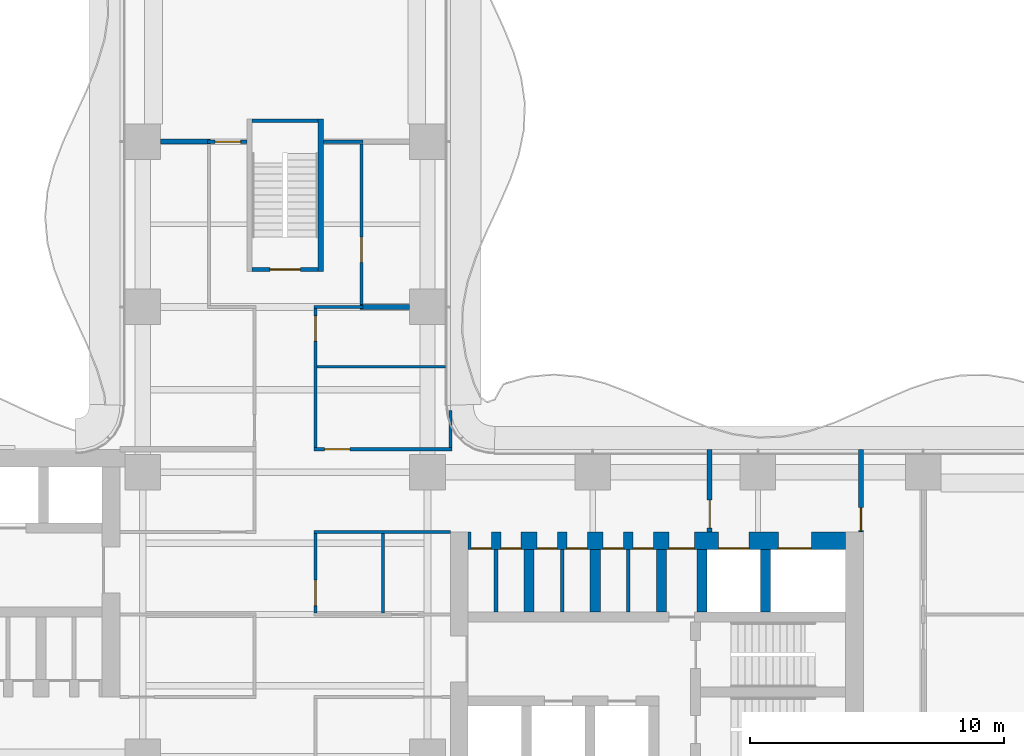
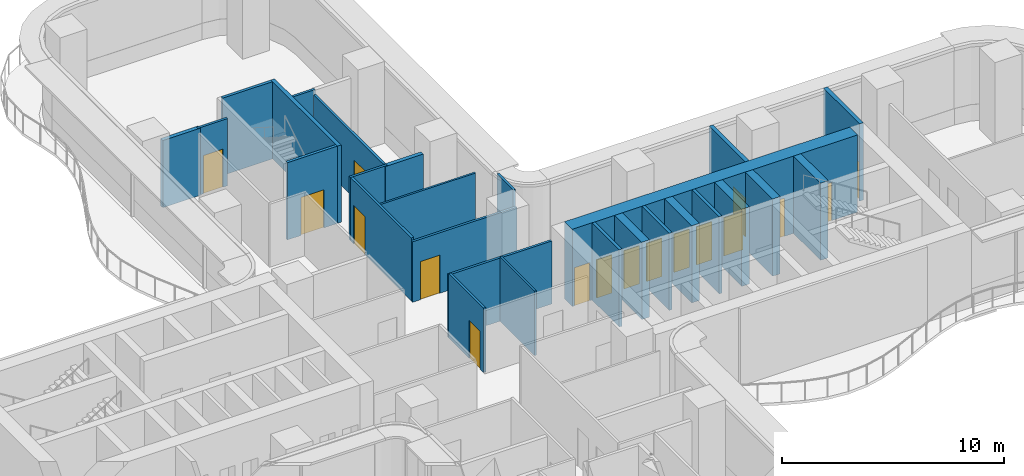
# One storey, part 19 of 22: 27 walls, 17 doors, 17 openings.
"""IFC4 building model written with IfcOpenShell, lengths in metres."""

from ifc_helpers import new_model, si_unit, direction, frame, frame_2d, origin, place, context, subcontext, project, spatial, rectangle, extrude, source, transform, mapped, material, layer, layer_set, type_object, element, fill, save


model = new_model("IFC4")

# Units and contexts
model_context = context("Model", 3, precision=1e-05, world=origin(), true_north=direction((0.0, 1.0)))
body_context = subcontext(model_context, "Body", "Model", "MODEL_VIEW")
ifc_project = project(units=[si_unit("LENGTHUNIT", "METRE"), si_unit("AREAUNIT", "SQUARE_METRE"), si_unit("VOLUMEUNIT", "CUBIC_METRE"), si_unit("PLANEANGLEUNIT", "RADIAN"), si_unit("MASSUNIT", "GRAM", prefix="KILO")], contexts=[model_context])

# Site, building, storey
site_placement = place(None, origin())
site = spatial("IfcSite", under=ifc_project, at=site_placement, CompositionType="ELEMENT")
building_placement = place(site_placement, origin())
building = spatial("IfcBuilding", under=site, at=building_placement, Name="Trellis Farm Tower", CompositionType="ELEMENT")
storey_placement = place(building_placement, frame((0.0, 0.0, 56.5)))
storey = spatial("IfcBuildingStorey", under=building, at=storey_placement, Name="L11", CompositionType="ELEMENT", Elevation=56.5)

# Walls
ifc_material_1 = material(Name="Concrete C80/95", Category="concrete")
ifc_layer_1 = layer(ifc_material_1, 0.39990234375)
ifc_layer_set_1 = layer_set([ifc_layer_1], Name="CORE INNER WALL 400 CONCRETE C80/95")
wall_type_1 = type_object("IfcWallType", Name="CORE INNER WALL 400 CONCRETE C80/95", PredefinedType="SHEAR", material=ifc_layer_set_1)
shared_shape_1 = source(origin(), body_context, "Body", "SweptSolid", [
    extrude(rectangle(XDim=2.449951171875, YDim=0.39990234375, at=frame_2d((1.22509765625, 0.0))), origin(), (0.0, 0.0, 1.0), 4.25),
])
for number, where, z_axis, x_axis, name in (
    (1, (9.60009765625, 0.10009765625, 0.0), (0.0, 0.0, 1.0), (0.0, 1.0, 0.0), "Core wall"),
    (2, (12.199951171875, 0.10009765625, 0.0), (0.0, 0.0, 1.0), (0.0, 1.0, 0.0), "Core wall"),
    (3, (14.800048828125, 0.10009765625, 0.0), (0.0, 0.0, 1.0), (0.0, 1.0, 0.0), "Core wall"),
    (4, (16.39990234375, 0.10009765625, 0.0), (0.0, 0.0, 1.0), (0.0, 1.0, 0.0), "Core wall"),
    (5, (18.89990234375, 0.10009765625, 0.0), (0.0, 0.0, 1.0), (0.0, 1.0, 0.0), "Core wall"),
):
    element("IfcWall", number, at=place(storey_placement, frame(where, z_axis=z_axis, x_axis=x_axis)), inside=storey, type_object=wall_type_1, Name=name, PredefinedType="SHEAR", context=body_context, shape_type="MappedRepresentation", body=[
        mapped(shared_shape_1, transform((0.0, 0.0, 0.0))),
    ])

# Wall, opening, door
ifc_material_2 = material(Name="Masonry blockwork", Category="masonry")
ifc_layer_2 = layer(ifc_material_2, 0.199951171875)
ifc_layer_set_2 = layer_set([ifc_layer_2], Name="FIRE LOBBY PARTITION 200 BLOCKWORK")
wall_type_2 = type_object("IfcWallType", Name="FIRE LOBBY PARTITION 200 BLOCKWORK", PredefinedType="PARTITIONING", material=ifc_layer_set_2)
shared_shape_2 = source(origin(), body_context, "Body", "SweptSolid", [
    extrude(rectangle(XDim=3.25, YDim=0.199951171875, at=frame_2d((1.625, 0.0))), origin(), (0.0, 0.0, 1.0), 4.25),
])
wall_1_placement = place(storey_placement, frame((16.699951171875, 3.25, 0.0), z_axis=(0.0, 0.0, 1.0), x_axis=(0.0, 1.0, 0.0)))
wall_1 = element("IfcWall", 6, at=wall_1_placement, inside=storey, type_object=wall_type_2, Name="Fire-fighting lobby partition", PredefinedType="PARTITIONING", context=body_context, shape_type="MappedRepresentation", body=[
    mapped(shared_shape_2, transform((0.0, 0.0, 0.0))),
])
shared_shape_3 = source(origin(), body_context, "Body", "SweptSolid", [
    extrude(rectangle(XDim=1.10009765625, YDim=2.10009765625, at=frame_2d((0.550048828125, 1.050048828125))), frame((0.0, 0.110107421875, 0.0), z_axis=(0.0, -1.0, 0.0), x_axis=(1.0, 0.0, 0.0)), (0.0, 0.0, 1.0), 0.22021484375),
])
opening_1_placement = place(wall_1_placement, frame((0.14990234375, 0.0, 0.0)))
opening_1 = element("IfcOpeningElement", 7, at=opening_1_placement, cuts=wall_1, Name="Opening DC7", PredefinedType="OPENING", context=body_context, shape_type="MappedRepresentation", body=[
    mapped(shared_shape_3, transform((0.0, 0.0, 0.0))),
])
ifc_material_3 = material(Name="Steel", Category="steel")
door_type_1 = type_object("IfcDoorType", Name="CORE FIRE DOOR 1100 X 2100", OperationType="NOTDEFINED", PredefinedType="DOOR", material=ifc_material_3)
shared_shape_4 = source(origin(), body_context, "Body", "SweptSolid", [
    extrude(rectangle(XDim=1.10009765625, YDim=2.10009765625, at=frame_2d((0.550048828125, 1.050048828125))), frame((0.0, 0.02490234375, 0.0), z_axis=(0.0, -1.0, 0.0), x_axis=(1.0, 0.0, 0.0)), (0.0, 0.0, 1.0), 0.050048828125),
])
door_1_placement = place(opening_1_placement, origin())
door_1 = element("IfcDoor", 8, at=door_1_placement, inside=storey, type_object=door_type_1, Name="Core door", OperationType="SINGLE_SWING_RIGHT", OverallHeight=2.10009765625, OverallWidth=1.10009765625, PredefinedType="DOOR", context=body_context, shape_type="MappedRepresentation", body=[
    mapped(shared_shape_4, transform((0.0, 0.0, 0.0))),
])
fill(opening_1, door_1)

wall_2_placement = place(storey_placement, frame((22.64990234375, 3.25, 0.0), z_axis=(0.0, 0.0, 1.0), x_axis=(0.0, 1.0, 0.0)))
wall_2 = element("IfcWall", 9, at=wall_2_placement, inside=storey, type_object=wall_type_2, Name="Fire-fighting lobby partition", PredefinedType="PARTITIONING", context=body_context, shape_type="MappedRepresentation", body=[
    mapped(shared_shape_2, transform((0.0, 0.0, 0.0))),
])
shared_shape_5 = source(origin(), body_context, "Body", "SweptSolid", [
    extrude(rectangle(XDim=0.89990234375, YDim=2.10009765625, at=frame_2d((0.449951171875, 1.050048828125))), frame((0.0, 0.110107421875, 0.0), z_axis=(0.0, -1.0, 0.0), x_axis=(1.0, 0.0, 0.0)), (0.0, 0.0, 1.0), 0.22021484375),
])
opening_2_placement = place(wall_2_placement, frame((0.050048828125, 0.0, 0.0)))
opening_2 = element("IfcOpeningElement", 10, at=opening_2_placement, cuts=wall_2, Name="Opening DC8", PredefinedType="OPENING", context=body_context, shape_type="MappedRepresentation", body=[
    mapped(shared_shape_5, transform((0.0, 0.0, 0.0))),
])
door_type_2 = type_object("IfcDoorType", Name="CORE FIRE DOOR 900 X 2100", OperationType="NOTDEFINED", PredefinedType="DOOR", material=ifc_material_3)
shared_shape_6 = source(origin(), body_context, "Body", "SweptSolid", [
    extrude(rectangle(XDim=0.89990234375, YDim=2.10009765625, at=frame_2d((0.449951171875, 1.050048828125))), frame((0.0, 0.02490234375, 0.0), z_axis=(0.0, -1.0, 0.0), x_axis=(1.0, 0.0, 0.0)), (0.0, 0.0, 1.0), 0.050048828125),
])
door_2_placement = place(opening_2_placement, origin())
door_2 = element("IfcDoor", 11, at=door_2_placement, inside=storey, type_object=door_type_2, Name="Core door", OperationType="SINGLE_SWING_RIGHT", OverallHeight=2.10009765625, OverallWidth=0.89990234375, PredefinedType="DOOR", context=body_context, shape_type="MappedRepresentation", body=[
    mapped(shared_shape_6, transform((0.0, 0.0, 0.0))),
])
fill(opening_2, door_2)

# Wall, openings, doors
ifc_layer_3 = layer(ifc_material_1, 0.699951171875)
ifc_layer_set_3 = layer_set([ifc_layer_3], Name="CORE OUTER WALL 700 CONCRETE C80/95")
wall_type_3 = type_object("IfcWallType", Name="CORE OUTER WALL 700 CONCRETE C80/95", PredefinedType="SHEAR", material=ifc_layer_set_3)
shared_shape_7 = source(origin(), body_context, "Body", "SweptSolid", [
    extrude(rectangle(XDim=14.85009765625, YDim=0.699951171875, at=frame_2d((7.425048828125, 0.0))), origin(), (0.0, 0.0, 1.0), 4.25),
])
wall_3_placement = place(storey_placement, frame((7.199951171875, 2.89990234375, 0.0), z_axis=(0.0, 0.0, 1.0), x_axis=(1.0, 0.0, 0.0)))
wall_3 = element("IfcWall", 12, at=wall_3_placement, inside=storey, type_object=wall_type_3, Name="Core wall", PredefinedType="SHEAR", context=body_context, shape_type="MappedRepresentation", body=[
    mapped(shared_shape_7, transform((0.0, 0.0, 0.0))),
])
shared_shape_8 = source(origin(), body_context, "Body", "SweptSolid", [
    extrude(rectangle(XDim=1.300048828125, YDim=2.10009765625, at=frame_2d((0.64990234375, 1.050048828125))), frame((0.0, 0.360107421875, 0.0), z_axis=(0.0, -1.0, 0.0), x_axis=(1.0, 0.0, 0.0)), (0.0, 0.0, 1.0), 0.72021484375),
])
opening_3_placement = place(wall_3_placement, frame((12.199951171875, 0.0, 0.0)))
opening_3 = element("IfcOpeningElement", 13, at=opening_3_placement, cuts=wall_3, Name="Opening LD7", PredefinedType="OPENING", context=body_context, shape_type="MappedRepresentation", body=[
    mapped(shared_shape_8, transform((0.0, 0.0, 0.0))),
])
shared_shape_9 = source(origin(), body_context, "Body", "SweptSolid", [
    extrude(rectangle(XDim=1.199951171875, YDim=2.10009765625, at=frame_2d((0.60009765625, 1.050048828125))), frame((0.0, 0.360107421875, 0.0), z_axis=(0.0, -1.0, 0.0), x_axis=(1.0, 0.0, 0.0)), (0.0, 0.0, 1.0), 0.72021484375),
])
opening_4_placement = place(wall_3_placement, frame((9.85009765625, 0.0, 0.0)))
opening_4 = element("IfcOpeningElement", 14, at=opening_4_placement, cuts=wall_3, Name="Opening LD8", PredefinedType="OPENING", context=body_context, shape_type="MappedRepresentation", body=[
    mapped(shared_shape_9, transform((0.0, 0.0, 0.0))),
])
shared_shape_10 = source(origin(), body_context, "Body", "SweptSolid", [
    extrude(rectangle(XDim=1.0, YDim=2.10009765625, at=frame_2d((0.5, 1.050048828125))), frame((0.0, 0.360107421875, 0.0), z_axis=(0.0, -1.0, 0.0), x_axis=(1.0, 0.0, 0.0)), (0.0, 0.0, 1.0), 0.72021484375),
])
opening_5_placement = place(wall_3_placement, frame((7.89990234375, 0.0, 0.0)))
opening_5 = element("IfcOpeningElement", 15, at=opening_5_placement, cuts=wall_3, Name="Opening DC6", PredefinedType="OPENING", context=body_context, shape_type="MappedRepresentation", body=[
    mapped(shared_shape_10, transform((0.0, 0.0, 0.0))),
])
shared_shape_11 = source(origin(), body_context, "Body", "SweptSolid", [
    extrude(rectangle(XDim=0.800048828125, YDim=2.10009765625, at=frame_2d((0.39990234375, 1.050048828125))), frame((0.0, 0.360107421875, 0.0), z_axis=(0.0, -1.0, 0.0), x_axis=(1.0, 0.0, 0.0)), (0.0, 0.0, 1.0), 0.72021484375),
])
opening_6_placement = place(wall_3_placement, frame((0.112548828125, 0.0, 0.0)))
opening_6 = element("IfcOpeningElement", 16, at=opening_6_placement, cuts=wall_3, Name="Opening DC9", PredefinedType="OPENING", context=body_context, shape_type="MappedRepresentation", body=[
    mapped(shared_shape_11, transform((0.0, 0.0, 0.0))),
])
opening_7_placement = place(wall_3_placement, frame((1.28759765625, 0.0, 0.0)))
opening_7 = element("IfcOpeningElement", 17, at=opening_7_placement, cuts=wall_3, Name="Opening DC16", PredefinedType="OPENING", context=body_context, shape_type="MappedRepresentation", body=[
    mapped(shared_shape_11, transform((0.0, 0.0, 0.0))),
])
opening_8_placement = place(wall_3_placement, frame((2.71240234375, 0.0, 0.0)))
opening_8 = element("IfcOpeningElement", 18, at=opening_8_placement, cuts=wall_3, Name="Opening DC21", PredefinedType="OPENING", context=body_context, shape_type="MappedRepresentation", body=[
    mapped(shared_shape_11, transform((0.0, 0.0, 0.0))),
])
opening_9_placement = place(wall_3_placement, frame((3.887451171875, 0.0, 0.0)))
opening_9 = element("IfcOpeningElement", 19, at=opening_9_placement, cuts=wall_3, Name="Opening DC28", PredefinedType="OPENING", context=body_context, shape_type="MappedRepresentation", body=[
    mapped(shared_shape_11, transform((0.0, 0.0, 0.0))),
])
opening_10_placement = place(wall_3_placement, frame((5.3125, 0.0, 0.0)))
opening_10 = element("IfcOpeningElement", 20, at=opening_10_placement, cuts=wall_3, Name="Opening DC33", PredefinedType="OPENING", context=body_context, shape_type="MappedRepresentation", body=[
    mapped(shared_shape_11, transform((0.0, 0.0, 0.0))),
])
opening_11_placement = place(wall_3_placement, frame((6.487548828125, 0.0, 0.0)))
opening_11 = element("IfcOpeningElement", 21, at=opening_11_placement, cuts=wall_3, Name="Opening DC40", PredefinedType="OPENING", context=body_context, shape_type="MappedRepresentation", body=[
    mapped(shared_shape_11, transform((0.0, 0.0, 0.0))),
])
door_type_3 = type_object("IfcDoorType", Name="CORE FIRE DOOR 1000 X 2100", OperationType="NOTDEFINED", PredefinedType="DOOR", material=ifc_material_3)
shared_shape_12 = source(origin(), body_context, "Body", "SweptSolid", [
    extrude(rectangle(XDim=1.0, YDim=2.10009765625, at=frame_2d((0.5, 1.050048828125))), frame((0.0, -0.27490234375, 0.0), z_axis=(0.0, -1.0, 0.0), x_axis=(1.0, 0.0, 0.0)), (0.0, 0.0, 1.0), 0.050048828125),
])
door_3_placement = place(opening_5_placement, origin())
door_3 = element("IfcDoor", 22, at=door_3_placement, inside=storey, type_object=door_type_3, Name="Core door", OperationType="SINGLE_SWING_LEFT", OverallHeight=2.10009765625, OverallWidth=1.0, PredefinedType="DOOR", context=body_context, shape_type="MappedRepresentation", body=[
    mapped(shared_shape_12, transform((0.0, 0.0, 0.0))),
])
fill(opening_5, door_3)
ifc_material_4 = material(Name="Stainless steel", Category="steel")
door_type_4 = type_object("IfcDoorType", Name="LIFT LANDING DOOR 1300 X 2100", OperationType="DOUBLE_DOOR_SLIDING", PredefinedType="DOOR", material=ifc_material_4)
shared_shape_13 = source(origin(), body_context, "Body", "SweptSolid", [
    extrude(rectangle(XDim=1.300048828125, YDim=2.10009765625, at=frame_2d((0.64990234375, 1.050048828125))), frame((0.0, -0.27490234375, 0.0), z_axis=(0.0, -1.0, 0.0), x_axis=(1.0, 0.0, 0.0)), (0.0, 0.0, 1.0), 0.050048828125),
])
door_4_placement = place(opening_3_placement, origin())
door_4 = element("IfcDoor", 23, at=door_4_placement, inside=storey, type_object=door_type_4, Name="Lift landing door", OperationType="DOUBLE_DOOR_SLIDING", OverallHeight=2.10009765625, OverallWidth=1.300048828125, PredefinedType="DOOR", context=body_context, shape_type="MappedRepresentation", body=[
    mapped(shared_shape_13, transform((0.0, 0.0, 0.0))),
])
fill(opening_3, door_4)
door_type_5 = type_object("IfcDoorType", Name="LIFT LANDING DOOR 1200 X 2100", OperationType="DOUBLE_DOOR_SLIDING", PredefinedType="DOOR", material=ifc_material_4)
shared_shape_14 = source(origin(), body_context, "Body", "SweptSolid", [
    extrude(rectangle(XDim=1.199951171875, YDim=2.10009765625, at=frame_2d((0.60009765625, 1.050048828125))), frame((0.0, -0.27490234375, 0.0), z_axis=(0.0, -1.0, 0.0), x_axis=(1.0, 0.0, 0.0)), (0.0, 0.0, 1.0), 0.050048828125),
])
door_5_placement = place(opening_4_placement, origin())
door_5 = element("IfcDoor", 24, at=door_5_placement, inside=storey, type_object=door_type_5, Name="Lift landing door", OperationType="DOUBLE_DOOR_SLIDING", OverallHeight=2.10009765625, OverallWidth=1.199951171875, PredefinedType="DOOR", context=body_context, shape_type="MappedRepresentation", body=[
    mapped(shared_shape_14, transform((0.0, 0.0, 0.0))),
])
fill(opening_4, door_5)
door_type_6 = type_object("IfcDoorType", Name="CORE FIRE DOOR 800 X 2100", OperationType="NOTDEFINED", PredefinedType="DOOR", material=ifc_material_3)
shared_shape_15 = source(origin(), body_context, "Body", "SweptSolid", [
    extrude(rectangle(XDim=0.800048828125, YDim=2.10009765625, at=frame_2d((0.39990234375, 1.050048828125))), frame((0.0, -0.27490234375, 0.0), z_axis=(0.0, -1.0, 0.0), x_axis=(1.0, 0.0, 0.0)), (0.0, 0.0, 1.0), 0.050048828125),
])
door_6_placement = place(opening_6_placement, origin())
door_6 = element("IfcDoor", 25, at=door_6_placement, inside=storey, type_object=door_type_6, Name="Core door", OperationType="SINGLE_SWING_LEFT", OverallHeight=2.10009765625, OverallWidth=0.800048828125, PredefinedType="DOOR", context=body_context, shape_type="MappedRepresentation", body=[
    mapped(shared_shape_15, transform((0.0, 0.0, 0.0))),
])
fill(opening_6, door_6)
door_7_placement = place(opening_7_placement, origin())
door_7 = element("IfcDoor", 26, at=door_7_placement, inside=storey, type_object=door_type_6, Name="Core door", OperationType="SINGLE_SWING_RIGHT", OverallHeight=2.10009765625, OverallWidth=0.800048828125, PredefinedType="DOOR", context=body_context, shape_type="MappedRepresentation", body=[
    mapped(shared_shape_15, transform((0.0, 0.0, 0.0))),
])
fill(opening_7, door_7)
door_8_placement = place(opening_8_placement, origin())
door_8 = element("IfcDoor", 27, at=door_8_placement, inside=storey, type_object=door_type_6, Name="Core door", OperationType="SINGLE_SWING_LEFT", OverallHeight=2.10009765625, OverallWidth=0.800048828125, PredefinedType="DOOR", context=body_context, shape_type="MappedRepresentation", body=[
    mapped(shared_shape_15, transform((0.0, 0.0, 0.0))),
])
fill(opening_8, door_8)
door_9_placement = place(opening_9_placement, origin())
door_9 = element("IfcDoor", 28, at=door_9_placement, inside=storey, type_object=door_type_6, Name="Core door", OperationType="SINGLE_SWING_RIGHT", OverallHeight=2.10009765625, OverallWidth=0.800048828125, PredefinedType="DOOR", context=body_context, shape_type="MappedRepresentation", body=[
    mapped(shared_shape_15, transform((0.0, 0.0, 0.0))),
])
fill(opening_9, door_9)
door_10_placement = place(opening_10_placement, origin())
door_10 = element("IfcDoor", 29, at=door_10_placement, inside=storey, type_object=door_type_6, Name="Core door", OperationType="SINGLE_SWING_LEFT", OverallHeight=2.10009765625, OverallWidth=0.800048828125, PredefinedType="DOOR", context=body_context, shape_type="MappedRepresentation", body=[
    mapped(shared_shape_15, transform((0.0, 0.0, 0.0))),
])
fill(opening_10, door_10)
door_11_placement = place(opening_11_placement, origin())
door_11 = element("IfcDoor", 30, at=door_11_placement, inside=storey, type_object=door_type_6, Name="Core door", OperationType="SINGLE_SWING_RIGHT", OverallHeight=2.10009765625, OverallWidth=0.800048828125, PredefinedType="DOOR", context=body_context, shape_type="MappedRepresentation", body=[
    mapped(shared_shape_15, transform((0.0, 0.0, 0.0))),
])
fill(opening_11, door_11)

# Walls
ifc_layer_4 = layer(ifc_material_2, 0.14990234375)
ifc_layer_set_4 = layer_set([ifc_layer_4], Name="CORE PARTITION 150 BLOCKWORK")
wall_type_4 = type_object("IfcWallType", Name="CORE PARTITION 150 BLOCKWORK", PredefinedType="PARTITIONING", material=ifc_layer_set_4)
shared_shape_16 = source(origin(), body_context, "Body", "SweptSolid", [
    extrude(rectangle(XDim=2.449951171875, YDim=0.14990234375, at=frame_2d((1.22509765625, 0.0))), origin(), (0.0, 0.0, 1.0), 4.25),
])
for number, where, z_axis, x_axis, name in (
    (31, (8.300048828125, 0.10009765625, 0.0), (0.0, 0.0, 1.0), (0.0, 1.0, 0.0), "Core room partition"),
    (32, (10.89990234375, 0.10009765625, 0.0), (0.0, 0.0, 1.0), (0.0, 1.0, 0.0), "Core room partition"),
    (33, (13.5, 0.10009765625, 0.0), (0.0, 0.0, 1.0), (0.0, 1.0, 0.0), "Core room partition"),
):
    element("IfcWall", number, at=place(storey_placement, frame(where, z_axis=z_axis, x_axis=x_axis)), inside=storey, type_object=wall_type_4, Name=name, PredefinedType="PARTITIONING", context=body_context, shape_type="MappedRepresentation", body=[
        mapped(shared_shape_16, transform((0.0, 0.0, 0.0))),
    ])
ifc_layer_5 = layer(ifc_material_1, 0.199951171875)
ifc_layer_set_5 = layer_set([ifc_layer_5], Name="CORE STAIR ENCLOSURE WALL 200 CONCRETE C80/95")
wall_type_5 = type_object("IfcWallType", Name="CORE STAIR ENCLOSURE WALL 200 CONCRETE C80/95", PredefinedType="SHEAR", material=ifc_layer_set_5)
shared_shape_17 = source(origin(), body_context, "Body", "SweptSolid", [
    extrude(rectangle(XDim=6.0, YDim=0.199951171875, at=frame_2d((3.0, 0.0))), origin(), (0.0, 0.0, 1.0), 4.25),
])
wall_4_placement = place(storey_placement, frame((1.39990234375, 13.5, 0.0), z_axis=(0.0, 0.0, 1.0), x_axis=(0.0, 1.0, 0.0)))
element("IfcWall", 34, at=wall_4_placement, inside=storey, type_object=wall_type_5, Name="Stair enclosure wall", PredefinedType="SHEAR", context=body_context, shape_type="MappedRepresentation", body=[
    mapped(shared_shape_17, transform((0.0, 0.0, 0.0))),
])

# Wall, opening, door
ifc_layer_6 = layer(ifc_material_1, 0.14990234375)
ifc_layer_set_6 = layer_set([ifc_layer_6], Name="CORE STAIR ENCLOSURE WALL 150 CONCRETE C80/95")
wall_type_6 = type_object("IfcWallType", Name="CORE STAIR ENCLOSURE WALL 150 CONCRETE C80/95", PredefinedType="SHEAR", material=ifc_layer_set_6)
shared_shape_18 = source(origin(), body_context, "Body", "SweptSolid", [
    extrude(rectangle(XDim=2.60009765625, YDim=0.14990234375, at=frame_2d((1.300048828125, 0.0))), origin(), (0.0, 0.0, 1.0), 4.25),
])
wall_5_placement = place(storey_placement, frame((-1.300048828125, 13.574951171875, 0.0), z_axis=(0.0, 0.0, 1.0), x_axis=(1.0, 0.0, 0.0)))
wall_5 = element("IfcWall", 35, at=wall_5_placement, inside=storey, type_object=wall_type_6, Name="Stair enclosure wall", PredefinedType="SHEAR", context=body_context, shape_type="MappedRepresentation", body=[
    mapped(shared_shape_18, transform((0.0, 0.0, 0.0))),
])
shared_shape_19 = source(origin(), body_context, "Body", "SweptSolid", [
    extrude(rectangle(XDim=1.199951171875, YDim=2.10009765625, at=frame_2d((0.60009765625, 1.050048828125))), frame((0.0, 0.0849609375, 0.0), z_axis=(0.0, -1.0, 0.0), x_axis=(1.0, 0.0, 0.0)), (0.0, 0.0, 1.0), 0.169921875),
])
opening_12_placement = place(wall_5_placement, frame((0.699951171875, 0.0, 0.0)))
opening_12 = element("IfcOpeningElement", 36, at=opening_12_placement, cuts=wall_5, Name="Opening DC173", PredefinedType="OPENING", context=body_context, shape_type="MappedRepresentation", body=[
    mapped(shared_shape_19, transform((0.0, 0.0, 0.0))),
])
door_type_7 = type_object("IfcDoorType", Name="CORE FIRE DOOR 1200 X 2100", OperationType="NOTDEFINED", PredefinedType="DOOR", material=ifc_material_3)
shared_shape_20 = source(origin(), body_context, "Body", "SweptSolid", [
    extrude(rectangle(XDim=1.199951171875, YDim=2.10009765625, at=frame_2d((0.60009765625, 1.050048828125))), frame((0.0, 0.02490234375, 0.0), z_axis=(0.0, -1.0, 0.0), x_axis=(1.0, 0.0, 0.0)), (0.0, 0.0, 1.0), 0.050048828125),
])
door_12_placement = place(opening_12_placement, origin())
door_12 = element("IfcDoor", 37, at=door_12_placement, inside=storey, type_object=door_type_7, Name="Core door", OperationType="SINGLE_SWING_LEFT", OverallHeight=2.10009765625, OverallWidth=1.199951171875, PredefinedType="DOOR", context=body_context, shape_type="MappedRepresentation", body=[
    mapped(shared_shape_20, transform((0.0, 0.0, 0.0))),
])
fill(opening_12, door_12)

# Wall
wall_6_placement = place(storey_placement, frame((-1.300048828125, 19.425048828125, 0.0), z_axis=(0.0, 0.0, 1.0), x_axis=(1.0, 0.0, 0.0)))
element("IfcWall", 38, at=wall_6_placement, inside=storey, type_object=wall_type_6, Name="Stair enclosure wall", PredefinedType="SHEAR", context=body_context, shape_type="MappedRepresentation", body=[
    mapped(shared_shape_18, transform((0.0, 0.0, 0.0))),
])

# Wall, opening, door
ifc_material_5 = material(Name="Plasterboard on steel studs, mineral wool", Category="steel")
ifc_layer_7 = layer(ifc_material_5, 0.125)
ifc_layer_set_7 = layer_set([ifc_layer_7], Name="PARTITION 125 STUD EI 60")
wall_type_7 = type_object("IfcWallType", Name="PARTITION 125 STUD EI 60", PredefinedType="PARTITIONING", material=ifc_layer_set_7)
shared_shape_21 = source(origin(), body_context, "Body", "SweptSolid", [
    extrude(rectangle(XDim=3.125, YDim=0.125, at=frame_2d((1.5625, 0.0))), origin(), (0.0, 0.0, 1.0), 3.54638671875),
])
wall_7_placement = place(storey_placement, frame((1.199951171875, 3.1875, 0.0), z_axis=(0.0, 0.0, 1.0), x_axis=(0.0, -1.0, 0.0)))
wall_7 = element("IfcWall", 39, at=wall_7_placement, inside=storey, type_object=wall_type_7, Name="Partition PW1", PredefinedType="PARTITIONING", context=body_context, shape_type="MappedRepresentation", body=[
    mapped(shared_shape_21, transform((0.0, 0.0, 0.0))),
])
shared_shape_22 = source(origin(), body_context, "Body", "SweptSolid", [
    extrude(rectangle(XDim=1.0, YDim=2.10009765625, at=frame_2d((0.5, 1.050048828125))), frame((0.0, 0.072509765625, 0.0), z_axis=(0.0, -1.0, 0.0), x_axis=(1.0, 0.0, 0.0)), (0.0, 0.0, 1.0), 0.14501953125),
])
opening_13_placement = place(wall_7_placement, frame((1.83740234375, 0.0, 0.0)))
opening_13 = element("IfcOpeningElement", 40, at=opening_13_placement, cuts=wall_7, Name="Opening D110", PredefinedType="OPENING", context=body_context, shape_type="MappedRepresentation", body=[
    mapped(shared_shape_22, transform((0.0, 0.0, 0.0))),
])
ifc_material_6 = material(Name="Fire-rated timber door leaf in a hollow metal frame", Category="wood")
door_type_8 = type_object("IfcDoorType", Name="DOOR 1000x2100 FD30S", OperationType="NOTDEFINED", PredefinedType="DOOR", material=ifc_material_6)
shared_shape_23 = source(origin(), body_context, "Body", "SweptSolid", [
    extrude(rectangle(XDim=1.0, YDim=2.10009765625, at=frame_2d((0.5, 1.050048828125))), frame((0.0, 0.02490234375, 0.0), z_axis=(0.0, -1.0, 0.0), x_axis=(1.0, 0.0, 0.0)), (0.0, 0.0, 1.0), 0.050048828125),
])
door_13_placement = place(opening_13_placement, origin())
door_13 = element("IfcDoor", 41, at=door_13_placement, inside=storey, type_object=door_type_8, Name="Door D110", OperationType="SINGLE_SWING_RIGHT", OverallHeight=2.10009765625, OverallWidth=1.0, PredefinedType="DOOR", context=body_context, shape_type="MappedRepresentation", body=[
    mapped(shared_shape_23, transform((0.0, 0.0, 0.0))),
])
fill(opening_13, door_13)

shared_shape_24 = source(origin(), body_context, "Body", "SweptSolid", [
    extrude(rectangle(XDim=5.47509765625, YDim=0.125, at=frame_2d((2.737548828125, 0.0))), origin(), (0.0, 0.0, 1.0), 3.4677734375),
])
wall_8_placement = place(storey_placement, frame((1.199951171875, 12.03759765625, 0.0), z_axis=(0.0, 0.0, 1.0), x_axis=(0.0, -1.0, 0.0)))
wall_8 = element("IfcWall", 42, at=wall_8_placement, inside=storey, type_object=wall_type_7, Name="Partition PW1", PredefinedType="PARTITIONING", context=body_context, shape_type="MappedRepresentation", body=[
    mapped(shared_shape_24, transform((0.0, 0.0, 0.0))),
])
opening_14_placement = place(wall_8_placement, frame((0.28759765625, 0.0, 0.0)))
opening_14 = element("IfcOpeningElement", 43, at=opening_14_placement, cuts=wall_8, Name="Opening D114", PredefinedType="OPENING", context=body_context, shape_type="MappedRepresentation", body=[
    mapped(shared_shape_22, transform((0.0, 0.0, 0.0))),
])
door_14_placement = place(opening_14_placement, origin())
door_14 = element("IfcDoor", 44, at=door_14_placement, inside=storey, type_object=door_type_8, Name="Door D114", OperationType="SINGLE_SWING_LEFT", OverallHeight=2.10009765625, OverallWidth=1.0, PredefinedType="DOOR", context=body_context, shape_type="MappedRepresentation", body=[
    mapped(shared_shape_23, transform((0.0, 0.0, 0.0))),
])
fill(opening_14, door_14)

# Wall
shared_shape_25 = source(origin(), body_context, "Body", "SweptSolid", [
    extrude(rectangle(XDim=1.468994140625, YDim=0.125, at=frame_2d((0.734375, 0.0))), origin(), (0.0, 0.0, 1.0), 4.25),
])
wall_9_placement = place(storey_placement, frame((6.5, 6.5625, 0.0), z_axis=(0.0, 0.0, 1.0), x_axis=(0.0, 1.0, 0.0)))
element("IfcWall", 45, at=wall_9_placement, inside=storey, type_object=wall_type_7, Name="Partition PW1", PredefinedType="PARTITIONING", context=body_context, shape_type="MappedRepresentation", body=[
    mapped(shared_shape_25, transform((0.0, 0.0, 0.0))),
])

# Wall, opening, door
shared_shape_26 = source(origin(), body_context, "Body", "SweptSolid", [
    extrude(rectangle(XDim=1.5625, YDim=0.125, at=frame_2d((0.78125, 0.0))), origin(), (0.0, 0.0, 1.0), 3.69677734375),
])
wall_10_placement = place(storey_placement, frame((-3.0625, 18.60009765625, 0.0), z_axis=(0.0, 0.0, 1.0), x_axis=(1.0, 0.0, 0.0)))
wall_10 = element("IfcWall", 46, at=wall_10_placement, inside=storey, type_object=wall_type_7, Name="Partition PW1", PredefinedType="PARTITIONING", context=body_context, shape_type="MappedRepresentation", body=[
    mapped(shared_shape_26, transform((0.0, 0.0, 0.0))),
])
opening_15_placement = place(wall_10_placement, frame((0.3125, 0.0, 0.0)))
opening_15 = element("IfcOpeningElement", 47, at=opening_15_placement, cuts=wall_10, Name="Opening D116", PredefinedType="OPENING", context=body_context, shape_type="MappedRepresentation", body=[
    mapped(shared_shape_22, transform((0.0, 0.0, 0.0))),
])
door_15_placement = place(opening_15_placement, origin())
door_15 = element("IfcDoor", 48, at=door_15_placement, inside=storey, type_object=door_type_8, Name="Door D116", OperationType="SINGLE_SWING_RIGHT", OverallHeight=2.10009765625, OverallWidth=1.0, PredefinedType="DOOR", context=body_context, shape_type="MappedRepresentation", body=[
    mapped(shared_shape_23, transform((0.0, 0.0, 0.0))),
])
fill(opening_15, door_15)

# Walls
wall_11_placement = place(storey_placement, frame((1.5, 18.60009765625, 0.0), z_axis=(0.0, 0.0, 1.0), x_axis=(1.0, 0.0, 0.0)))
element("IfcWall", 49, at=wall_11_placement, inside=storey, type_object=wall_type_7, Name="Partition PW1", PredefinedType="PARTITIONING", context=body_context, shape_type="MappedRepresentation", body=[
    mapped(shared_shape_26, transform((0.0, 0.0, 0.0))),
])
shared_shape_27 = source(origin(), body_context, "Body", "SweptSolid", [
    extrude(rectangle(XDim=1.925048828125, YDim=0.125, at=frame_2d((0.96240234375, 0.0))), origin(), (0.0, 0.0, 1.0), 3.4677734375),
])
wall_12_placement = place(storey_placement, frame((3.0625, 12.10009765625, 0.0), z_axis=(0.0, 0.0, 1.0), x_axis=(-1.0, 0.0, 0.0)))
element("IfcWall", 50, at=wall_12_placement, inside=storey, type_object=wall_type_7, Name="Partition PW1", PredefinedType="PARTITIONING", context=body_context, shape_type="MappedRepresentation", body=[
    mapped(shared_shape_27, transform((0.0, 0.0, 0.0))),
])
shared_shape_28 = source(origin(), body_context, "Body", "SweptSolid", [
    extrude(rectangle(XDim=5.362548828125, YDim=0.125, at=frame_2d((2.68115234375, 0.0))), origin(), (0.0, 0.0, 1.0), 3.4677734375),
])
wall_13_placement = place(storey_placement, frame((1.137451171875, 3.25, 0.0), z_axis=(0.0, 0.0, 1.0), x_axis=(1.0, 0.0, 0.0)))
element("IfcWall", 51, at=wall_13_placement, inside=storey, type_object=wall_type_7, Name="Partition PW1", PredefinedType="PARTITIONING", context=body_context, shape_type="MappedRepresentation", body=[
    mapped(shared_shape_28, transform((0.0, 0.0, 0.0))),
])

# Wall, opening, door
shared_shape_29 = source(origin(), body_context, "Body", "SweptSolid", [
    extrude(rectangle(XDim=5.425048828125, YDim=0.125, at=frame_2d((2.71240234375, 0.0))), origin(), (0.0, 0.0, 1.0), 3.330078125),
])
wall_14_placement = place(storey_placement, frame((1.137451171875, 6.5, 0.0), z_axis=(0.0, 0.0, 1.0), x_axis=(1.0, 0.0, 0.0)))
wall_14 = element("IfcWall", 52, at=wall_14_placement, inside=storey, type_object=wall_type_7, Name="Partition PW1", PredefinedType="PARTITIONING", context=body_context, shape_type="MappedRepresentation", body=[
    mapped(shared_shape_29, transform((0.0, 0.0, 0.0))),
])
opening_16_placement = place(wall_14_placement, frame((0.41259765625, 0.0, 0.0)))
opening_16 = element("IfcOpeningElement", 53, at=opening_16_placement, cuts=wall_14, Name="Opening D113", PredefinedType="OPENING", context=body_context, shape_type="MappedRepresentation", body=[
    mapped(shared_shape_22, transform((0.0, 0.0, 0.0))),
])
door_16_placement = place(opening_16_placement, origin())
door_16 = element("IfcDoor", 54, at=door_16_placement, inside=storey, type_object=door_type_8, Name="Door D113", OperationType="SINGLE_SWING_LEFT", OverallHeight=2.10009765625, OverallWidth=1.0, PredefinedType="DOOR", context=body_context, shape_type="MappedRepresentation", body=[
    mapped(shared_shape_23, transform((0.0, 0.0, 0.0))),
])
fill(opening_16, door_16)

# Walls
ifc_material_7 = material(Name="Lightweight blockwork, plastered", Category="masonry")
ifc_layer_8 = layer(ifc_material_7, 0.199951171875)
ifc_layer_set_8 = layer_set([ifc_layer_8], Name="BLOCK WALL 200 EI 120")
wall_type_8 = type_object("IfcWallType", Name="BLOCK WALL 200 EI 120", PredefinedType="PARTITIONING", material=ifc_layer_set_8)
shared_shape_30 = source(origin(), body_context, "Body", "SweptSolid", [
    extrude(rectangle(XDim=1.96240234375, YDim=0.199951171875, at=frame_2d((0.981201171875, 0.0))), origin(), (0.0, 0.0, 1.0), 3.4677734375),
])
wall_15_placement = place(storey_placement, frame((2.9375, 12.10009765625, 0.0), z_axis=(0.0, 0.0, 1.0), x_axis=(1.0, 0.0, 0.0)))
element("IfcWall", 55, at=wall_15_placement, inside=storey, type_object=wall_type_8, Name="Partition PW3", PredefinedType="PARTITIONING", context=body_context, shape_type="MappedRepresentation", body=[
    mapped(shared_shape_30, transform((0.0, 0.0, 0.0))),
])
ifc_material_8 = material(Name="Plasterboard on steel studs", Category="steel")
ifc_layer_9 = layer(ifc_material_8, 0.10009765625)
ifc_layer_set_9 = layer_set([ifc_layer_9], Name="PARTITION 100 STUD EI 30")
wall_type_9 = type_object("IfcWallType", Name="PARTITION 100 STUD EI 30", PredefinedType="PARTITIONING", material=ifc_layer_set_9)
shared_shape_31 = source(origin(), body_context, "Body", "SweptSolid", [
    extrude(rectangle(XDim=3.125, YDim=0.10009765625, at=frame_2d((1.5625, 0.0))), origin(), (0.0, 0.0, 1.0), 3.54638671875),
])
wall_16_placement = place(storey_placement, frame((3.85009765625, 0.0625, 0.0), z_axis=(0.0, 0.0, 1.0), x_axis=(0.0, 1.0, 0.0)))
element("IfcWall", 56, at=wall_16_placement, inside=storey, type_object=wall_type_9, Name="Partition PW2", PredefinedType="PARTITIONING", context=body_context, shape_type="MappedRepresentation", body=[
    mapped(shared_shape_31, transform((0.0, 0.0, 0.0))),
])

# Wall, opening, door
shared_shape_32 = source(origin(), body_context, "Body", "SweptSolid", [
    extrude(rectangle(XDim=6.300048828125, YDim=0.125, at=frame_2d((3.14990234375, 0.0))), origin(), (0.0, 0.0, 1.0), 3.4677734375),
])
wall_17_placement = place(storey_placement, frame((3.0, 18.5, 0.0), z_axis=(0.0, 0.0, 1.0), x_axis=(0.0, -1.0, 0.0)))
wall_17 = element("IfcWall", 57, at=wall_17_placement, inside=storey, type_object=wall_type_7, Name="Partition PW1", PredefinedType="PARTITIONING", context=body_context, shape_type="MappedRepresentation", body=[
    mapped(shared_shape_32, transform((0.0, 0.0, 0.0))),
])
opening_17_placement = place(wall_17_placement, frame((3.64990234375, 0.0, 0.0)))
opening_17 = element("IfcOpeningElement", 58, at=opening_17_placement, cuts=wall_17, Name="Opening D115", PredefinedType="OPENING", context=body_context, shape_type="MappedRepresentation", body=[
    mapped(shared_shape_22, transform((0.0, 0.0, 0.0))),
])
door_17_placement = place(opening_17_placement, origin())
door_17 = element("IfcDoor", 59, at=door_17_placement, inside=storey, type_object=door_type_8, Name="Door D115", OperationType="SINGLE_SWING_RIGHT", OverallHeight=2.10009765625, OverallWidth=1.0, PredefinedType="DOOR", context=body_context, shape_type="MappedRepresentation", body=[
    mapped(shared_shape_23, transform((0.0, 0.0, 0.0))),
])
fill(opening_17, door_17)

# Walls
shared_shape_33 = source(origin(), body_context, "Body", "SweptSolid", [
    extrude(rectangle(XDim=1.96240234375, YDim=0.199951171875, at=frame_2d((0.981201171875, 0.0))), origin(), (0.0, 0.0, 1.0), 3.69677734375),
])
wall_18_placement = place(storey_placement, frame((-4.89990234375, 18.60009765625, 0.0), z_axis=(0.0, 0.0, 1.0), x_axis=(1.0, 0.0, 0.0)))
element("IfcWall", 60, at=wall_18_placement, inside=storey, type_object=wall_type_8, Name="Partition PW3", PredefinedType="PARTITIONING", context=body_context, shape_type="MappedRepresentation", body=[
    mapped(shared_shape_33, transform((0.0, 0.0, 0.0))),
])
shared_shape_34 = source(origin(), body_context, "Body", "SweptSolid", [
    extrude(rectangle(XDim=5.03759765625, YDim=0.10009765625, at=frame_2d((2.518798828125, 0.0))), origin(), (0.0, 0.0, 1.0), 3.330078125),
])
wall_19_placement = place(storey_placement, frame((1.262451171875, 9.75, 0.0), z_axis=(0.0, 0.0, 1.0), x_axis=(1.0, 0.0, 0.0)))
element("IfcWall", 61, at=wall_19_placement, inside=storey, type_object=wall_type_9, Name="Partition PW2", PredefinedType="PARTITIONING", context=body_context, shape_type="MappedRepresentation", body=[
    mapped(shared_shape_34, transform((0.0, 0.0, 0.0))),
])

save(model, "model.ifc")
